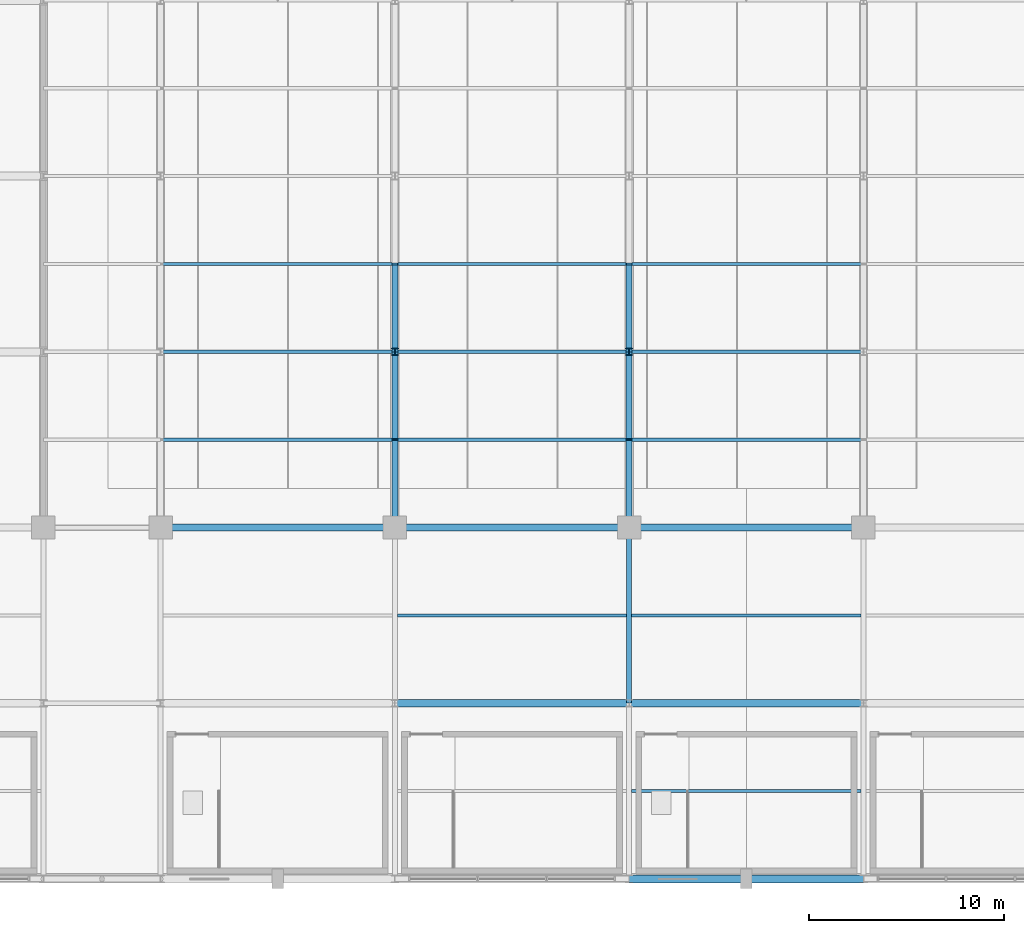
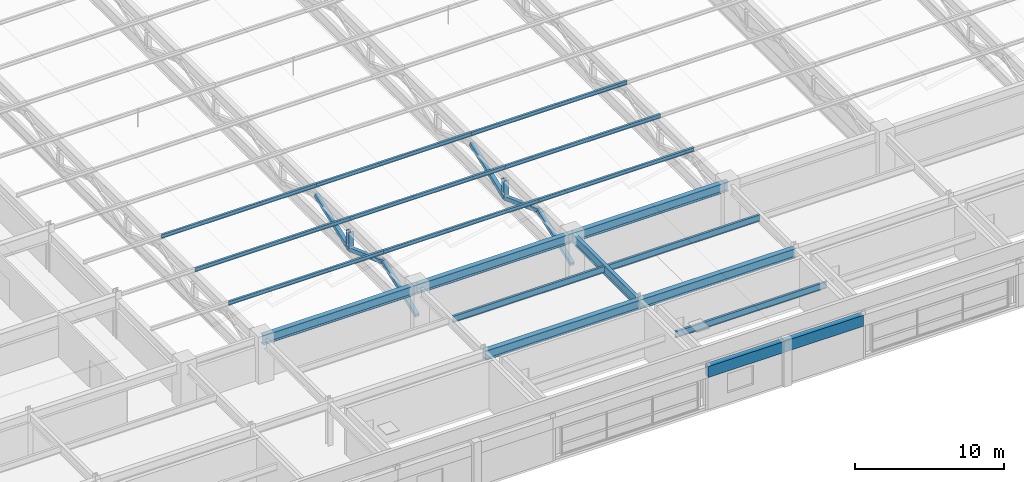
# One storey, part 26 of 108: 17 members, 10 beams.
"""IFC4 building model written with IfcOpenShell, lengths in metres."""

from ifc_helpers import new_model, si_unit, direction, frame, origin, origin_2d, place, context, subcontext, project, spatial, rectangle, hollow_rectangle, i_section, extrude, material, material_profile, profile_set, type_object, element, save


model = new_model("IFC4")

# Units and contexts
model_context = context("Model", 3, precision=1e-05, world=origin(), true_north=direction((0.0, 1.0)))
body_context = subcontext(model_context, "Body", "Model", "MODEL_VIEW")
ifc_project = project(units=[si_unit("LENGTHUNIT", "METRE"), si_unit("AREAUNIT", "SQUARE_METRE"), si_unit("VOLUMEUNIT", "CUBIC_METRE"), si_unit("PLANEANGLEUNIT", "RADIAN"), si_unit("MASSUNIT", "GRAM", prefix="KILO")], contexts=[model_context])

# Site, building, storey
site_placement = place(None, origin())
site = spatial("IfcSite", under=ifc_project, at=site_placement, CompositionType="ELEMENT")
building_placement = place(site_placement, origin())
building = spatial("IfcBuilding", under=site, at=building_placement, Name="Kaldorvane Square Convention Centre", CompositionType="ELEMENT")
storey_placement = place(building_placement, frame((0.0, 0.0, 23.399993896484375)))
storey = spatial("IfcBuildingStorey", under=building, at=storey_placement, Name="L04", CompositionType="ELEMENT", Elevation=23.399993896484375)

# Beams
ifc_material_1 = material(Name="Steel ASTM A992 Gr. 50", Category="steel")
ifc_material_profile_1 = material_profile(ifc_material_1, i_section(OverallWidth=0.2666015625, OverallDepth=0.762298583984375, WebThickness=0.014404296875, FlangeThickness=0.0216064453125, FilletRadius=0.0164947509765625, at=origin_2d()), Name="W30X116")
ifc_profile_set_1 = profile_set([ifc_material_profile_1], Name="Steel ASTM A992 Gr. 50")
beam_type_1 = type_object("IfcBeamType", Name="BM-GR-W30X116", PredefinedType="BEAM", material=ifc_profile_set_1)
beam_1_placement = place(storey_placement, frame((54.0, 9.0, 3.144805908203125), z_axis=(0.0, 1.0, 0.0), x_axis=(-1.0, 0.0, 0.0)))
element("IfcBeam", 1, at=beam_1_placement, inside=storey, type_object=beam_type_1, Name="Transverse Girder (L04)", PredefinedType="BEAM", context=body_context, shape_type="SweptSolid", body=[
    extrude(i_section(OverallWidth=0.2666015625, OverallDepth=0.762298583984375, WebThickness=0.014404296875, FlangeThickness=0.0216064453125, FilletRadius=0.0164947509765625, at=origin_2d()), origin(), (0.0, 0.0, 1.0), 9.0),
])
ifc_material_profile_2 = material_profile(ifc_material_1, i_section(OverallWidth=0.380706787109375, OverallDepth=0.773193359375, WebThickness=0.0166015625, FlangeThickness=0.027099609375, FilletRadius=0.0164947509765625, at=origin_2d()), Name="W30X173")
ifc_profile_set_2 = profile_set([ifc_material_profile_2], Name="Steel ASTM A992 Gr. 50")
beam_type_2 = type_object("IfcBeamType", Name="BM-GR-W30X173", PredefinedType="BEAM", material=ifc_profile_set_2)
for number, where, z_axis, x_axis, name in (
    (2, (42.0, 9.0, 3.139404296875), (1.0, 0.0, 0.0), (0.0, 1.0, 0.0), "Primary Girder (L04)"),
    (3, (54.0, 9.0, 3.139404296875), (1.0, 0.0, 0.0), (0.0, 1.0, 0.0), "Primary Girder (L04)"),
    (4, (30.0, 18.0, 3.139404296875), (1.0, 0.0, 0.0), (0.0, 1.0, 0.0), "Primary Girder (L04)"),
    (5, (42.0, 18.0, 3.139404296875), (1.0, 0.0, 0.0), (0.0, 1.0, 0.0), "Primary Girder (L04)"),
    (6, (54.0, 18.0, 3.139404296875), (1.0, 0.0, 0.0), (0.0, 1.0, 0.0), "Primary Girder (L04)"),
):
    element("IfcBeam", number, at=place(storey_placement, frame(where, z_axis=z_axis, x_axis=x_axis)), inside=storey, type_object=beam_type_2, Name=name, PredefinedType="BEAM", context=body_context, shape_type="SweptSolid", body=[
        extrude(i_section(OverallWidth=0.380706787109375, OverallDepth=0.773193359375, WebThickness=0.0166015625, FlangeThickness=0.027099609375, FilletRadius=0.0164947509765625, at=origin_2d()), origin(), (0.0, 0.0, 1.0), 12.0),
    ])
ifc_material_profile_3 = material_profile(ifc_material_1, i_section(OverallWidth=0.1658935546875, OverallDepth=0.5290985107421875, WebThickness=0.00970458984375, FlangeThickness=0.0135955810546875, FilletRadius=0.0126953125, at=origin_2d()), Name="W21X50")
ifc_profile_set_3 = profile_set([ifc_material_profile_3], Name="Steel ASTM A992 Gr. 50")
beam_type_3 = type_object("IfcBeamType", Name="BM-JS-W21X50", PredefinedType="JOIST", material=ifc_profile_set_3)
for number, where, z_axis, x_axis, name in (
    (7, (54.13330078125, 4.5, 3.26141357421875), (1.0, 0.0, 0.0), (0.0, 1.0, 0.0), "Secondary Floor Joist (L04)"),
    (8, (42.13330078125, 13.5, 3.26141357421875), (1.0, 0.0, 0.0), (0.0, 1.0, 0.0), "Secondary Floor Joist (L04)"),
    (9, (54.13330078125, 13.5, 3.26141357421875), (1.0, 0.0, 0.0), (0.0, 1.0, 0.0), "Secondary Floor Joist (L04)"),
):
    element("IfcBeam", number, at=place(storey_placement, frame(where, z_axis=z_axis, x_axis=x_axis)), inside=storey, type_object=beam_type_3, Name=name, PredefinedType="JOIST", context=body_context, shape_type="SweptSolid", body=[
        extrude(i_section(OverallWidth=0.1658935546875, OverallDepth=0.5290985107421875, WebThickness=0.00970458984375, FlangeThickness=0.0135955810546875, FilletRadius=0.0126953125, at=origin_2d()), origin(), (0.0, 0.0, 1.0), 11.7333984375),
    ])
ifc_material_2 = material(Name="Concrete f'c = 42 MPa (Normalweight)", Category="concrete")
ifc_material_profile_4 = material_profile(ifc_material_2, rectangle(XDim=0.399993896484375, YDim=0.899993896484375, at=origin_2d()), Name="RCSP900X400")
ifc_profile_set_4 = profile_set([ifc_material_profile_4], Name="Concrete f'c = 42 MPa (Normalweight)")
beam_type_4 = type_object("IfcBeamType", Name="BM-SP-RC900", PredefinedType="SPANDREL", material=ifc_profile_set_4)
beam_2_placement = place(storey_placement, frame((54.0, 0.0, 3.0760040283203125), z_axis=(1.0, 0.0, 0.0), x_axis=(0.0, 1.0, 0.0)))
element("IfcBeam", 10, at=beam_2_placement, inside=storey, type_object=beam_type_4, Name="Perimeter Spandrel (L04)", PredefinedType="SPANDREL", context=body_context, shape_type="SweptSolid", body=[
    extrude(rectangle(XDim=0.399993896484375, YDim=0.899993896484375, at=origin_2d()), origin(), (0.0, 0.0, 1.0), 12.0),
])

# Members
ifc_material_3 = material(Name="Steel ASTM A500 Gr. C", Category="steel")
ifc_material_profile_5 = material_profile(ifc_material_3, hollow_rectangle(XDim=0.3047943115234375, YDim=0.3047943115234375, WallThickness=0.0117950439453125, at=origin_2d()), Name="HSS12X12X1/2")
ifc_profile_set_5 = profile_set([ifc_material_profile_5], Name="Steel ASTM A500 Gr. C")
member_type_1 = type_object("IfcMemberType", Name="MB-BR-HSS12", PredefinedType="BRACE", material=ifc_profile_set_5)
for number, where, z_axis, x_axis, name in (
    (11, (42.0, 18.0, 0.8800048828125), (0.0, 0.937283847769, 0.348567050524), (-1.0, 0.0, 0.0), "Hall Roof Truss RT-02 Web 1A"),
    (12, (42.0, 22.5, 2.5535125732421875), (0.0, 0.937283847769, -0.348567050524), (-1.0, 0.0, 0.0), "Hall Roof Truss RT-02 Web 1B"),
    (13, (42.0, 27.0, 0.8800048828125), (0.0, 0.937283847769, 0.348567050524), (-1.0, 0.0, 0.0), "Hall Roof Truss RT-02 Web 2A"),
    (14, (54.0, 18.0, 0.8800048828125), (0.0, 0.937283847769, 0.348567050524), (-1.0, 0.0, 0.0), "Hall Roof Truss RT-03 Web 1A"),
    (15, (54.0, 22.5, 2.5535125732421875), (0.0, 0.937283847769, -0.348567050524), (-1.0, 0.0, 0.0), "Hall Roof Truss RT-03 Web 1B"),
    (16, (54.0, 27.0, 0.8800048828125), (0.0, 0.937283847769, 0.348567050524), (-1.0, 0.0, 0.0), "Hall Roof Truss RT-03 Web 2A"),
):
    element("IfcMember", number, at=place(storey_placement, frame(where, z_axis=z_axis, x_axis=x_axis)), inside=storey, type_object=member_type_1, Name=name, PredefinedType="BRACE", context=body_context, shape_type="SweptSolid", body=[
        extrude(hollow_rectangle(XDim=0.3047943115234375, YDim=0.3047943115234375, WallThickness=0.0117950439453125, at=origin_2d()), origin(), (0.0, 0.0, 1.0), 4.8011016845703125),
    ])
ifc_material_profile_6 = material_profile(ifc_material_1, i_section(OverallWidth=0.164794921875, OverallDepth=0.310394287109375, WebThickness=0.00579833984375, FlangeThickness=0.00970458984375, FilletRadius=0.007598876953125, at=origin_2d()), Name="W12X26")
ifc_profile_set_6 = profile_set([ifc_material_profile_6], Name="Steel ASTM A992 Gr. 50")
member_type_2 = type_object("IfcMemberType", Name="MB-PR-W12X26", PredefinedType="PURLIN", material=ifc_profile_set_6)
for number, where, z_axis, x_axis, name in (
    (17, (30.0, 22.5, 3.3628082275390625), (1.0, 0.0, 0.0), (0.0, 1.0, 0.0), "Hall Roof Steel Purlin"),
    (18, (30.0, 27.0, 3.3628082275390625), (1.0, 0.0, 0.0), (0.0, 1.0, 0.0), "Hall Roof Steel Purlin"),
    (19, (30.0, 31.5, 3.3628082275390625), (1.0, 0.0, 0.0), (0.0, 1.0, 0.0), "Hall Roof Steel Purlin"),
    (20, (42.0, 22.5, 3.3628082275390625), (1.0, 0.0, 0.0), (0.0, 1.0, 0.0), "Hall Roof Steel Purlin"),
    (21, (42.0, 27.0, 3.3628082275390625), (1.0, 0.0, 0.0), (0.0, 1.0, 0.0), "Hall Roof Steel Purlin"),
    (22, (42.0, 31.5, 3.3628082275390625), (1.0, 0.0, 0.0), (0.0, 1.0, 0.0), "Hall Roof Steel Purlin"),
    (23, (54.0, 22.5, 3.3628082275390625), (1.0, 0.0, 0.0), (0.0, 1.0, 0.0), "Hall Roof Steel Purlin"),
    (24, (54.0, 27.0, 3.3628082275390625), (1.0, 0.0, 0.0), (0.0, 1.0, 0.0), "Hall Roof Steel Purlin"),
    (25, (54.0, 31.5, 3.3628082275390625), (1.0, 0.0, 0.0), (0.0, 1.0, 0.0), "Hall Roof Steel Purlin"),
):
    element("IfcMember", number, at=place(storey_placement, frame(where, z_axis=z_axis, x_axis=x_axis)), inside=storey, type_object=member_type_2, Name=name, PredefinedType="PURLIN", context=body_context, shape_type="SweptSolid", body=[
        extrude(i_section(OverallWidth=0.164794921875, OverallDepth=0.310394287109375, WebThickness=0.00579833984375, FlangeThickness=0.00970458984375, FilletRadius=0.007598876953125, at=origin_2d()), origin(), (0.0, 0.0, 1.0), 12.0),
    ])
ifc_material_profile_7 = material_profile(ifc_material_1, i_section(OverallWidth=0.373992919921875, OverallDepth=0.372406005859375, WebThickness=0.0164031982421875, FlangeThickness=0.0261993408203125, FilletRadius=0.0305023193359375, at=origin_2d()), Name="W14X132")
ifc_profile_set_7 = profile_set([ifc_material_profile_7], Name="Steel ASTM A992 Gr. 50")
member_type_3 = type_object("IfcMemberType", Name="MB-PS-W14X132", PredefinedType="POST", material=ifc_profile_set_7)
for number, where, z_axis, x_axis, name in (
    (26, (42.0, 27.0, 1.0500030517578125), (0.0, 0.0, 1.0), (1.0, 0.0, 0.0), "Hall Roof Truss RT-02 Post 1"),
    (27, (54.0, 27.0, 1.0500030517578125), (0.0, 0.0, 1.0), (1.0, 0.0, 0.0), "Hall Roof Truss RT-03 Post 1"),
):
    element("IfcMember", number, at=place(storey_placement, frame(where, z_axis=z_axis, x_axis=x_axis)), inside=storey, type_object=member_type_3, Name=name, PredefinedType="POST", context=body_context, shape_type="SweptSolid", body=[
        extrude(i_section(OverallWidth=0.373992919921875, OverallDepth=0.372406005859375, WebThickness=0.0164031982421875, FlangeThickness=0.0261993408203125, FilletRadius=0.0305023193359375, at=origin_2d()), origin(), (0.0, 0.0, 1.0), 1.33349609375),
    ])

save(model, "model.ifc")
